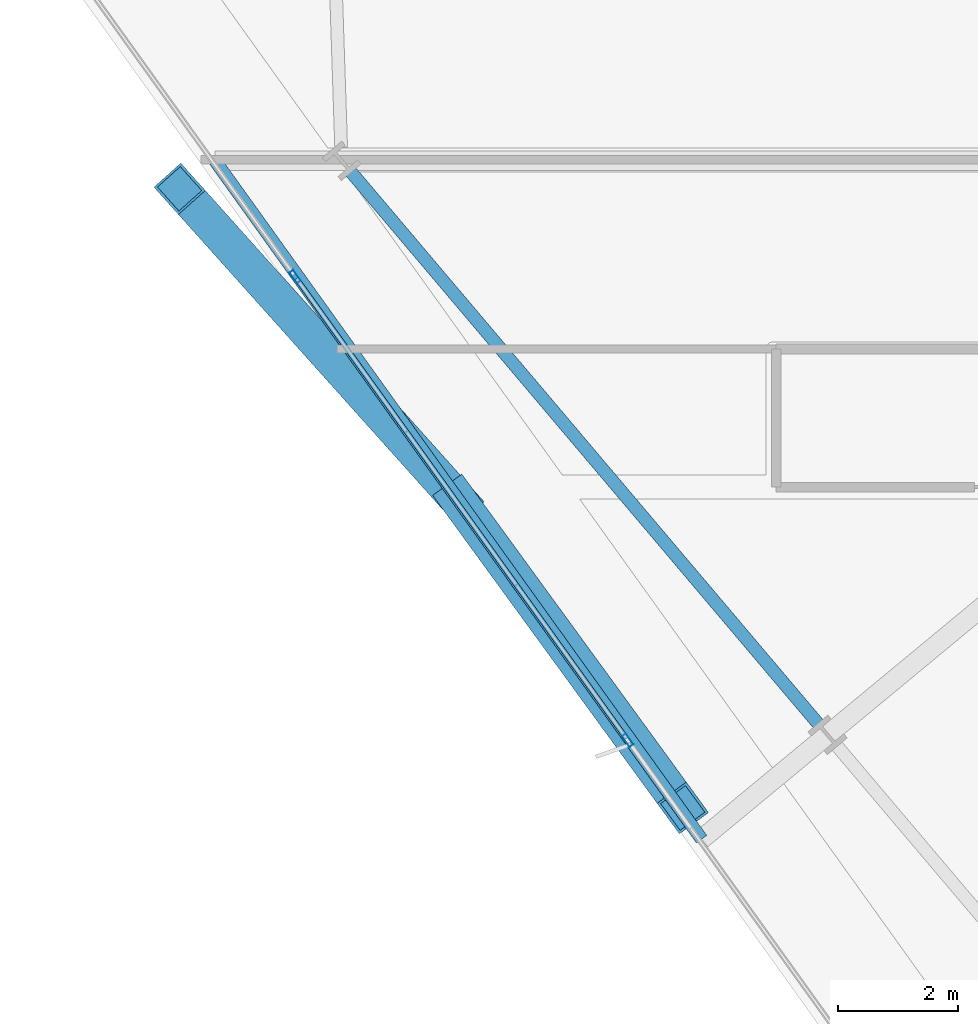
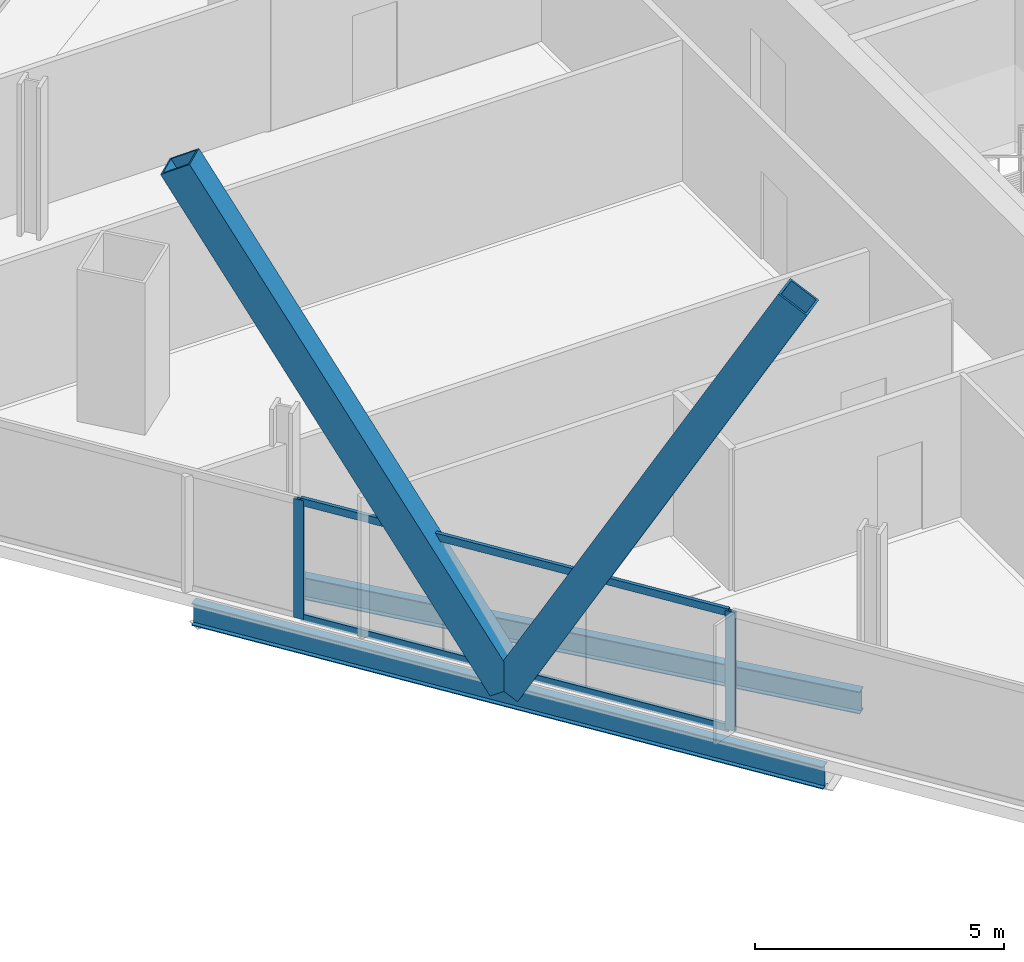
# One storey, part 4 of 33: 6 members, 2 beams, 1 element without a shape of its own.
"""IFC4 building model written with IfcOpenShell, lengths in metres."""

import ifcopenshell
import ifcopenshell.guid

model = None  # the IFC model being written
_history = None  # IfcOwnerHistory: only IFC2X3 demands one
_inside = {}  # id of a spatial element -> (the spatial element, [elements in it])
_under = {}  # id of a project, library or spatial element -> (it, [spatial elements below it])
_declared = {}  # id of a project -> (the project, [libraries it declares])
_typed = {}  # id of a type object -> (the type object, [elements of that type])
_made_of = {}  # id of a material, layer set ... -> (it, [elements and type objects made of it])


def new_model(schema):
    """Start an empty IFC model of exactly this schema.

    Asked for "IFC4X3", IfcOpenShell would pick the latest addendum, in which some entities
    have other attributes; the version numbers below select the first issue.
    IFC2X3 requires an IfcOwnerHistory on every rooted entity: one is made here for all.
    """
    global model, _history
    if schema == "IFC4X3":
        model = ifcopenshell.file(schema_version=(4, 3, 0, 0))
    else:
        model = ifcopenshell.file(schema=schema)
    _inside.clear()
    _under.clear()
    _declared.clear()
    _typed.clear()
    _made_of.clear()
    _history = None
    if model.schema == "IFC2X3":
        org = make("IfcOrganization", Name="unknown")
        user = make(
            "IfcPersonAndOrganization",
            ThePerson=make("IfcPerson", FamilyName="unknown"),
            TheOrganization=org,
        )
        app = make(
            "IfcApplication",
            ApplicationDeveloper=org,
            Version="unknown",
            ApplicationFullName="unknown",
            ApplicationIdentifier="unknown",
        )
        _history = make(
            "IfcOwnerHistory",
            OwningUser=user,
            OwningApplication=app,
            ChangeAction="ADDED",
            CreationDate=0,
        )
    return model


def make(cls, **values):
    """One entity of the class cls with the attributes given. An attribute that is None is left unset."""
    return model.create_entity(
        cls, **{name: value for name, value in values.items() if value is not None}
    )


def rooted(cls, **values):
    """An entity with a GlobalId (a new one), such as an element, a storey or a relation."""
    return make(cls, GlobalId=ifcopenshell.guid.new(), OwnerHistory=_history, **values)


def si_unit(unit_type, name, prefix=None):
    """IfcSIUnit, for example si_unit("LENGTHUNIT", "METRE", prefix="MILLI")."""
    return make("IfcSIUnit", UnitType=unit_type, Prefix=prefix, Name=name)


def assignment(units):
    """IfcUnitAssignment: the units of a project."""
    return None if units is None else make("IfcUnitAssignment", Units=units)


def point(xyz):
    """IfcCartesianPoint."""
    return None if xyz is None else make("IfcCartesianPoint", Coordinates=xyz)


def direction(xyz):
    """IfcDirection."""
    return None if xyz is None else make("IfcDirection", DirectionRatios=xyz)


def frame(location, z_axis=None, x_axis=None):
    """IfcAxis2Placement3D, a coordinate frame: its origin and axes. An axis left out is left unset."""
    return make(
        "IfcAxis2Placement3D",
        Location=point(location),
        Axis=direction(z_axis),
        RefDirection=direction(x_axis),
    )


def frame_2d(location, x_axis=None):
    """IfcAxis2Placement2D, a coordinate frame in the plane: its origin and x axis."""
    return make(
        "IfcAxis2Placement2D", Location=point(location), RefDirection=direction(x_axis)
    )


def origin():
    """The frame at (0, 0, 0) with its axes left unset."""
    return frame((0.0, 0.0, 0.0))


def origin_2d():
    """The frame at (0, 0) in the plane with its x axis left unset."""
    return frame_2d((0.0, 0.0))


def place(relative_to, where):
    """IfcLocalPlacement: puts the frame where relative to a parent placement (None: the world)."""
    return make(
        "IfcLocalPlacement", PlacementRelTo=relative_to, RelativePlacement=where
    )


def context(
    kind, dimensions, precision=None, world=None, true_north=None, identifier=None
):
    """IfcGeometricRepresentationContext, for example the 3D "Model" context."""
    return make(
        "IfcGeometricRepresentationContext",
        ContextIdentifier=identifier,
        ContextType=kind,
        CoordinateSpaceDimension=dimensions,
        Precision=precision,
        WorldCoordinateSystem=world,
        TrueNorth=true_north,
    )


def subcontext(parent, identifier, kind, view, scale=None):
    """IfcGeometricRepresentationSubContext, for example "Body" below "Model"."""
    return make(
        "IfcGeometricRepresentationSubContext",
        ContextIdentifier=identifier,
        ContextType=kind,
        ParentContext=parent,
        TargetScale=scale,
        TargetView=view,
    )


def project(units=None, contexts=None):
    """IfcProject with its units and contexts."""
    return rooted(
        "IfcProject",
        Name="project",
        RepresentationContexts=contexts,
        UnitsInContext=assignment(units),
    )


def spatial(cls, under=None, at=None, **own):
    """A site, building, storey or space (cls), placed at a placement, below another one or the project."""
    s = rooted(cls, ObjectPlacement=at, **own)
    if under is not None:
        _under.setdefault(under.id(), (under, []))[1].append(s)
    return s


def profile(cls, at=None, kind="AREA", **sizes):
    """A parametric profile (cls). Its sizes go by their IFC names, for example OverallWidth=200.0."""
    return make(cls, ProfileType=kind, Position=at, **sizes)


def hollow_rectangle(**sizes):
    """IfcRectangleHollowProfileDef."""
    return profile("IfcRectangleHollowProfileDef", **sizes)


def i_section(**sizes):
    """IfcIShapeProfileDef."""
    return profile("IfcIShapeProfileDef", **sizes)


def extrude(swept, where, along, depth):
    """IfcExtrudedAreaSolid: the profile swept, set in the frame where, extruded along a direction by depth."""
    return make(
        "IfcExtrudedAreaSolid",
        SweptArea=swept,
        Position=where,
        ExtrudedDirection=direction(along),
        Depth=depth,
    )


def shape(context_of_items, identifier, shape_type, items):
    """IfcShapeRepresentation: the items that make up one representation, for example the "Body"."""
    return make(
        "IfcShapeRepresentation",
        ContextOfItems=context_of_items,
        RepresentationIdentifier=identifier,
        RepresentationType=shape_type,
        Items=items,
    )


def material(Name=None, Category=None):
    """IfcMaterial."""
    return make("IfcMaterial", Name=Name, Category=Category)


def material_profile(
    of_material, cross_section, Name=None, Category=None, Priority=None
):
    """IfcMaterialProfile: a cross section and its material."""
    return make(
        "IfcMaterialProfile",
        Name=Name,
        Material=of_material,
        Profile=cross_section,
        Priority=Priority,
        Category=Category,
    )


def profile_set(profiles, Name=None, composite=None):
    """IfcMaterialProfileSet."""
    return make(
        "IfcMaterialProfileSet",
        Name=Name,
        MaterialProfiles=profiles,
        CompositeProfile=composite,
    )


def made_of(thing, what):
    """Note that an element or type object is made of a material, layer set ...; save() writes the relation."""
    if what is not None:
        _made_of.setdefault(what.id(), (what, []))[1].append(thing)
    return thing


def type_object(cls, material=None, **own):
    """A type object (cls), such as IfcWallType, which elements share."""
    return made_of(rooted(cls, **own), material)


def element(
    cls,
    number,
    at=None,
    inside=None,
    cuts=None,
    type_object=None,
    material=None,
    context=None,
    identifier="Body",
    shape_type=None,
    held_by="IfcProductDefinitionShape",
    body=None,
    shapes=None,
    **own,
):
    """One element of the class cls, such as IfcWall. Its Tag is "e" and its number.

    at: its placement. inside: the storey or other place that contains it. cuts: it is an
    opening in that element (IfcRelVoidsElement). A single representation is given by context,
    identifier, shape_type and body (its items); several are given by shapes. held_by: the class
    of the entity that holds the representations. save() writes the other relations.
    """
    e = rooted(cls, Tag="e%d" % number, ObjectPlacement=at, **own)
    if body is not None:
        shapes = [shape(context, identifier, shape_type, body)]
    if shapes is not None:
        e.Representation = make(held_by, Representations=shapes)
    if inside is not None:
        _inside.setdefault(inside.id(), (inside, []))[1].append(e)
    if cuts is not None:
        rooted(
            "IfcRelVoidsElement", RelatingBuildingElement=cuts, RelatedOpeningElement=e
        )
    if type_object is not None:
        _typed.setdefault(type_object.id(), (type_object, []))[1].append(e)
    return made_of(e, material)


def aggregate(whole, parts):
    """IfcRelAggregates: a whole, such as a stair, and the parts it consists of."""
    return rooted("IfcRelAggregates", RelatingObject=whole, RelatedObjects=parts)


def save(model, path):
    """Write the relations noted so far, then the file.

    IfcRelAggregates (storeys below a building ...), IfcRelContainedInSpatialStructure (elements
    in a storey), IfcRelDefinesByType, IfcRelAssociatesMaterial and IfcRelDeclares: one each for
    every whole, place, type object, material and project.
    """
    for whole, parts in _under.values():
        aggregate(whole, parts)
    for where, things in _inside.values():
        rooted(
            "IfcRelContainedInSpatialStructure",
            RelatedElements=things,
            RelatingStructure=where,
        )
    for kind, things in _typed.values():
        rooted("IfcRelDefinesByType", RelatedObjects=things, RelatingType=kind)
    for what, things in _made_of.values():
        rooted("IfcRelAssociatesMaterial", RelatedObjects=things, RelatingMaterial=what)
    for by, libraries in _declared.values():
        rooted("IfcRelDeclares", RelatingContext=by, RelatedDefinitions=libraries)
    model.write(path)


model = new_model("IFC4")

# Units and contexts
model_context = context("Model", 3, precision=1e-05, world=origin(), true_north=direction((0.0, 1.0)))
body_context = subcontext(model_context, "Body", "Model", "MODEL_VIEW")
ifc_project = project(units=[si_unit("LENGTHUNIT", "METRE"), si_unit("AREAUNIT", "SQUARE_METRE"), si_unit("VOLUMEUNIT", "CUBIC_METRE"), si_unit("PLANEANGLEUNIT", "RADIAN"), si_unit("MASSUNIT", "GRAM", prefix="KILO")], contexts=[model_context])

# Site, building, storey
site_placement = place(None, origin())
site = spatial("IfcSite", under=ifc_project, at=site_placement, CompositionType="ELEMENT")
building_placement = place(site_placement, origin())
building = spatial("IfcBuilding", under=site, at=building_placement, Name="Haldenkirk Collegiate Tower", CompositionType="ELEMENT")
storey_placement = place(building_placement, frame((0.0, 0.0, 148.199951171875)))
storey = spatial("IfcBuildingStorey", under=building, at=storey_placement, Name="L36", CompositionType="ELEMENT", Elevation=148.199951171875)

# Beams
ifc_material_1 = material(Name="Steel ASTM A992 Grade 50", Category="steel")
ifc_material_profile_1 = material_profile(ifc_material_1, i_section(OverallWidth=0.2119140625, OverallDepth=0.5439453125, WebThickness=0.01318359375, FlangeThickness=0.021240234375, at=origin_2d()), Name="W21X83")
ifc_profile_set_1 = profile_set([ifc_material_profile_1], Name="Steel ASTM A992 Grade 50")
beam_type = type_object("IfcBeamType", Name="BM-SPANDREL-W21X83", PredefinedType="SPANDREL", material=ifc_profile_set_1)
beam_1_placement = place(storey_placement, frame((11.111328125, 20.80859375, -0.56201171875), z_axis=(0.646126367676, -0.763230448157, 0.0), x_axis=(0.763230448157, 0.646126367676, 0.0)))
element("IfcBeam", 1, at=beam_1_placement, inside=storey, type_object=beam_type, Name="L36 perimeter spandrel beam 14", PredefinedType="SPANDREL", context=body_context, shape_type="SweptSolid", body=[
    extrude(i_section(OverallWidth=0.2119140625, OverallDepth=0.5439453125, WebThickness=0.01318359375, FlangeThickness=0.021240234375, at=origin_2d()), origin(), (0.0, 0.0, 1.0), 12.06494140625),
])
beam_2_placement = place(storey_placement, frame((8.85693359375, 20.9833984375, -0.56201171875), z_axis=(0.58283727859, -0.812588891559, 0.0), x_axis=(0.812588891559, 0.58283727859, 0.0)))
element("IfcBeam", 2, at=beam_2_placement, inside=storey, type_object=beam_type, Name="L36 outer facade edge beam 4", PredefinedType="SPANDREL", context=body_context, shape_type="SweptSolid", body=[
    extrude(i_section(OverallWidth=0.2119140625, OverallDepth=0.5439453125, WebThickness=0.01318359375, FlangeThickness=0.021240234375, at=origin_2d()), origin(), (0.0, 0.0, 1.0), 13.898193359375),
])

# Curtain wall, members
ifc_material_2 = material(Name="Anodised architectural bronze aluminium", Category="aluminium")
curtain_wall_type = type_object("IfcCurtainWallType", Name="CW-SYS1-CONVEX-LOW", PredefinedType="USERDEFINED", material=ifc_material_2)
curtain_wall_placement = place(storey_placement, origin())
curtain_wall = element("IfcCurtainWall", 3, at=curtain_wall_placement, inside=storey, type_object=curtain_wall_type, Name="L36 Lower tower convex bronze-framed unitised curtain wall", ObjectType="UNITISED CURTAIN WALL", PredefinedType="USERDEFINED")
ifc_material_profile_2 = material_profile(ifc_material_2, hollow_rectangle(XDim=0.080078125, YDim=0.219970703125, WallThickness=0.0048828125, at=origin_2d()), Name="CW-MUL-1A")
ifc_profile_set_2 = profile_set([ifc_material_profile_2], Name="Anodised architectural bronze aluminium")
member_type_1 = type_object("IfcMemberType", Name="CW-MUL-1A", PredefinedType="MULLION", material=ifc_profile_set_2)
member_1_placement = place(storey_placement, frame((15.727294921875, 11.336181640625, 0.0), z_axis=(0.0, 0.0, 1.0), x_axis=(-0.812592330235, -0.582832484375, 0.0)))
member_1 = element("IfcMember", 4, at=member_1_placement, type_object=member_type_1, Name="CW-1A mullion 3", PredefinedType="MULLION", context=body_context, shape_type="SweptSolid", body=[
    extrude(hollow_rectangle(XDim=0.080078125, YDim=0.219970703125, WallThickness=0.0048828125, at=origin_2d()), origin(), (0.0, 0.0, 1.0), 2.9111328125),
])
member_2_placement = place(storey_placement, frame((10.1904296875, 19.055908203125, 0.0), z_axis=(0.0, 0.0, 1.0), x_axis=(-0.812592330235, -0.582832484375, 0.0)))
member_2 = element("IfcMember", 5, at=member_2_placement, type_object=member_type_1, Name="CW-1A mullion 4", PredefinedType="MULLION", context=body_context, shape_type="SweptSolid", body=[
    extrude(hollow_rectangle(XDim=0.080078125, YDim=0.219970703125, WallThickness=0.0048828125, at=origin_2d()), origin(), (0.0, 0.0, 1.0), 2.9111328125),
])
ifc_material_profile_3 = material_profile(ifc_material_2, hollow_rectangle(XDim=0.080078125, YDim=0.179931640625, WallThickness=0.0048828125, at=origin_2d()), Name="CW-TRN-1A")
ifc_profile_set_3 = profile_set([ifc_material_profile_3], Name="Anodised architectural bronze aluminium")
member_type_2 = type_object("IfcMemberType", Name="CW-TRN-1A", PredefinedType="USERDEFINED", material=ifc_profile_set_3)
member_3_placement = place(storey_placement, frame((15.703857421875, 11.368896484375, 0.0400390625), z_axis=(-0.582833104386, 0.812591885531, 0.0), x_axis=(-0.812591885531, -0.582833104386, 0.0)))
member_3 = element("IfcMember", 6, at=member_3_placement, type_object=member_type_2, Name="CW-1A transom 3.1", ObjectType="TRANSOM", PredefinedType="USERDEFINED", context=body_context, shape_type="SweptSolid", body=[
    extrude(hollow_rectangle(XDim=0.080078125, YDim=0.179931640625, WallThickness=0.0048828125, at=origin_2d()), origin(), (0.0, 0.0, 1.0), 9.419921875),
])
member_4_placement = place(storey_placement, frame((15.703857421875, 11.368896484375, 2.87109375), z_axis=(-0.582833104386, 0.812591885531, 0.0), x_axis=(-0.812591885531, -0.582833104386, 0.0)))
member_4 = element("IfcMember", 7, at=member_4_placement, type_object=member_type_2, Name="CW-1A transom 3.2", ObjectType="TRANSOM", PredefinedType="USERDEFINED", context=body_context, shape_type="SweptSolid", body=[
    extrude(hollow_rectangle(XDim=0.080078125, YDim=0.179931640625, WallThickness=0.0048828125, at=origin_2d()), origin(), (0.0, 0.0, 1.0), 9.419921875),
])
aggregate(curtain_wall, [member_1, member_2, member_3, member_4])

# Members
ifc_material_3 = material(Name="Steel ASTM A572 Grade 50", Category="steel")
ifc_material_profile_4 = material_profile(ifc_material_3, hollow_rectangle(XDim=0.60009765625, YDim=0.719970703125, WallThickness=0.044921875, at=origin_2d()), Name="BOX720X600X45")
ifc_profile_set_4 = profile_set([ifc_material_profile_4], Name="Steel ASTM A572 Grade 50")
member_type_3 = type_object("IfcMemberType", Name="MBR-MEGABRACE-BOX720X600X45", PredefinedType="BRACE", material=ifc_profile_set_4)
member_5_placement = place(storey_placement, frame((12.906982421875, 15.336669921875, -0.300048828125), z_axis=(-0.350856182585, 0.391722953852, 0.85056044263), x_axis=(-0.744894207675, -0.667182598223, 0.0)))
element("IfcMember", 8, at=member_5_placement, inside=storey, type_object=member_type_3, Name="Perimeter Mega Brace Z3 L36-L38 WL", PredefinedType="BRACE", context=body_context, shape_type="SweptSolid", body=[
    extrude(hollow_rectangle(XDim=0.60009765625, YDim=0.719970703125, WallThickness=0.044921875, at=origin_2d()), origin(), (0.0, 0.0, 1.0), 13.2265625),
])
member_6_placement = place(storey_placement, frame((12.906982421875, 15.336669921875, -0.300048828125), z_axis=(0.289322140756, -0.396990957804, 0.871028632302), x_axis=(0.80815329048, 0.588972205699, 0.0)))
element("IfcMember", 9, at=member_6_placement, inside=storey, type_object=member_type_3, Name="Perimeter Mega Brace Z3 L36-L38 WR", PredefinedType="BRACE", context=body_context, shape_type="SweptSolid", body=[
    extrude(hollow_rectangle(XDim=0.60009765625, YDim=0.719970703125, WallThickness=0.044921875, at=origin_2d()), origin(), (0.0, 0.0, 1.0), 12.915771484375),
])

save(model, "model.ifc")
